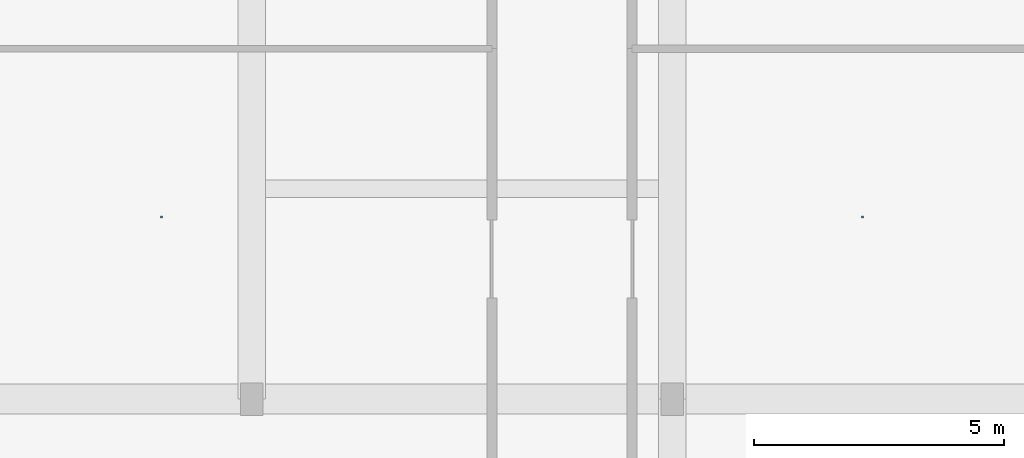
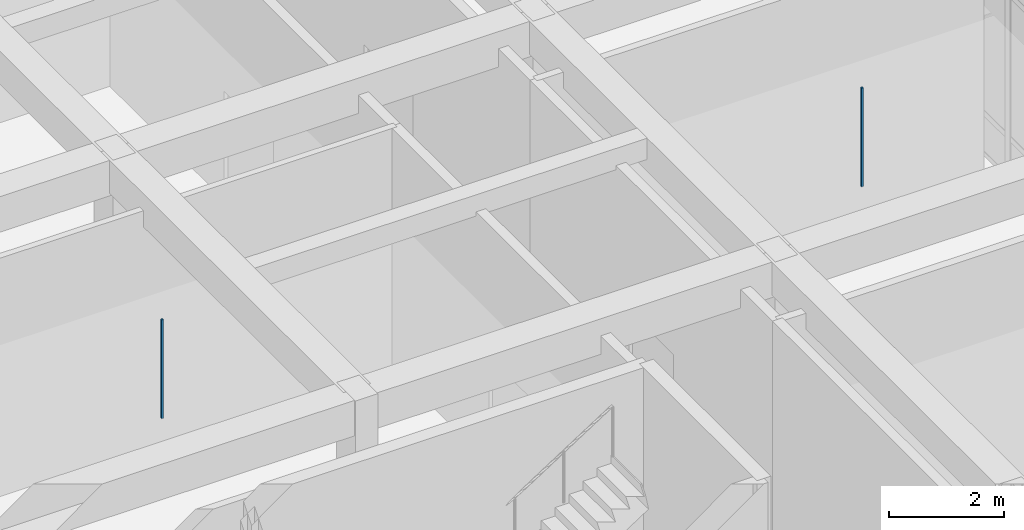
# One storey, part 94 of 167: 2 discrete accessories.
"""IFC4 building model written with IfcOpenShell, lengths in metres."""

import ifcopenshell
import ifcopenshell.guid

model = None  # the IFC model being written
_history = None  # IfcOwnerHistory: only IFC2X3 demands one
_inside = {}  # id of a spatial element -> (the spatial element, [elements in it])
_under = {}  # id of a project, library or spatial element -> (it, [spatial elements below it])
_declared = {}  # id of a project -> (the project, [libraries it declares])
_typed = {}  # id of a type object -> (the type object, [elements of that type])
_made_of = {}  # id of a material, layer set ... -> (it, [elements and type objects made of it])


def new_model(schema):
    """Start an empty IFC model of exactly this schema.

    Asked for "IFC4X3", IfcOpenShell would pick the latest addendum, in which some entities
    have other attributes; the version numbers below select the first issue.
    IFC2X3 requires an IfcOwnerHistory on every rooted entity: one is made here for all.
    """
    global model, _history
    if schema == "IFC4X3":
        model = ifcopenshell.file(schema_version=(4, 3, 0, 0))
    else:
        model = ifcopenshell.file(schema=schema)
    _inside.clear()
    _under.clear()
    _declared.clear()
    _typed.clear()
    _made_of.clear()
    _history = None
    if model.schema == "IFC2X3":
        org = make("IfcOrganization", Name="unknown")
        user = make(
            "IfcPersonAndOrganization",
            ThePerson=make("IfcPerson", FamilyName="unknown"),
            TheOrganization=org,
        )
        app = make(
            "IfcApplication",
            ApplicationDeveloper=org,
            Version="unknown",
            ApplicationFullName="unknown",
            ApplicationIdentifier="unknown",
        )
        _history = make(
            "IfcOwnerHistory",
            OwningUser=user,
            OwningApplication=app,
            ChangeAction="ADDED",
            CreationDate=0,
        )
    return model


def make(cls, **values):
    """One entity of the class cls with the attributes given. An attribute that is None is left unset."""
    return model.create_entity(
        cls, **{name: value for name, value in values.items() if value is not None}
    )


def rooted(cls, **values):
    """An entity with a GlobalId (a new one), such as an element, a storey or a relation."""
    return make(cls, GlobalId=ifcopenshell.guid.new(), OwnerHistory=_history, **values)


def si_unit(unit_type, name, prefix=None):
    """IfcSIUnit, for example si_unit("LENGTHUNIT", "METRE", prefix="MILLI")."""
    return make("IfcSIUnit", UnitType=unit_type, Prefix=prefix, Name=name)


def assignment(units):
    """IfcUnitAssignment: the units of a project."""
    return None if units is None else make("IfcUnitAssignment", Units=units)


def point(xyz):
    """IfcCartesianPoint."""
    return None if xyz is None else make("IfcCartesianPoint", Coordinates=xyz)


def direction(xyz):
    """IfcDirection."""
    return None if xyz is None else make("IfcDirection", DirectionRatios=xyz)


def frame(location, z_axis=None, x_axis=None):
    """IfcAxis2Placement3D, a coordinate frame: its origin and axes. An axis left out is left unset."""
    return make(
        "IfcAxis2Placement3D",
        Location=point(location),
        Axis=direction(z_axis),
        RefDirection=direction(x_axis),
    )


def frame_2d(location, x_axis=None):
    """IfcAxis2Placement2D, a coordinate frame in the plane: its origin and x axis."""
    return make(
        "IfcAxis2Placement2D", Location=point(location), RefDirection=direction(x_axis)
    )


def origin():
    """The frame at (0, 0, 0) with its axes left unset."""
    return frame((0.0, 0.0, 0.0))


def origin_2d():
    """The frame at (0, 0) in the plane with its x axis left unset."""
    return frame_2d((0.0, 0.0))


def place(relative_to, where):
    """IfcLocalPlacement: puts the frame where relative to a parent placement (None: the world)."""
    return make(
        "IfcLocalPlacement", PlacementRelTo=relative_to, RelativePlacement=where
    )


def context(
    kind, dimensions, precision=None, world=None, true_north=None, identifier=None
):
    """IfcGeometricRepresentationContext, for example the 3D "Model" context."""
    return make(
        "IfcGeometricRepresentationContext",
        ContextIdentifier=identifier,
        ContextType=kind,
        CoordinateSpaceDimension=dimensions,
        Precision=precision,
        WorldCoordinateSystem=world,
        TrueNorth=true_north,
    )


def subcontext(parent, identifier, kind, view, scale=None):
    """IfcGeometricRepresentationSubContext, for example "Body" below "Model"."""
    return make(
        "IfcGeometricRepresentationSubContext",
        ContextIdentifier=identifier,
        ContextType=kind,
        ParentContext=parent,
        TargetScale=scale,
        TargetView=view,
    )


def project(units=None, contexts=None):
    """IfcProject with its units and contexts."""
    return rooted(
        "IfcProject",
        Name="project",
        RepresentationContexts=contexts,
        UnitsInContext=assignment(units),
    )


def spatial(cls, under=None, at=None, **own):
    """A site, building, storey or space (cls), placed at a placement, below another one or the project."""
    s = rooted(cls, ObjectPlacement=at, **own)
    if under is not None:
        _under.setdefault(under.id(), (under, []))[1].append(s)
    return s


def profile(cls, at=None, kind="AREA", **sizes):
    """A parametric profile (cls). Its sizes go by their IFC names, for example OverallWidth=200.0."""
    return make(cls, ProfileType=kind, Position=at, **sizes)


def rectangle(**sizes):
    """IfcRectangleProfileDef."""
    return profile("IfcRectangleProfileDef", **sizes)


def extrude(swept, where, along, depth):
    """IfcExtrudedAreaSolid: the profile swept, set in the frame where, extruded along a direction by depth."""
    return make(
        "IfcExtrudedAreaSolid",
        SweptArea=swept,
        Position=where,
        ExtrudedDirection=direction(along),
        Depth=depth,
    )


def shape(context_of_items, identifier, shape_type, items):
    """IfcShapeRepresentation: the items that make up one representation, for example the "Body"."""
    return make(
        "IfcShapeRepresentation",
        ContextOfItems=context_of_items,
        RepresentationIdentifier=identifier,
        RepresentationType=shape_type,
        Items=items,
    )


def material(Name=None, Category=None):
    """IfcMaterial."""
    return make("IfcMaterial", Name=Name, Category=Category)


def made_of(thing, what):
    """Note that an element or type object is made of a material, layer set ...; save() writes the relation."""
    if what is not None:
        _made_of.setdefault(what.id(), (what, []))[1].append(thing)
    return thing


def type_object(cls, material=None, **own):
    """A type object (cls), such as IfcWallType, which elements share."""
    return made_of(rooted(cls, **own), material)


def element(
    cls,
    number,
    at=None,
    inside=None,
    cuts=None,
    type_object=None,
    material=None,
    context=None,
    identifier="Body",
    shape_type=None,
    held_by="IfcProductDefinitionShape",
    body=None,
    shapes=None,
    **own,
):
    """One element of the class cls, such as IfcWall. Its Tag is "e" and its number.

    at: its placement. inside: the storey or other place that contains it. cuts: it is an
    opening in that element (IfcRelVoidsElement). A single representation is given by context,
    identifier, shape_type and body (its items); several are given by shapes. held_by: the class
    of the entity that holds the representations. save() writes the other relations.
    """
    e = rooted(cls, Tag="e%d" % number, ObjectPlacement=at, **own)
    if body is not None:
        shapes = [shape(context, identifier, shape_type, body)]
    if shapes is not None:
        e.Representation = make(held_by, Representations=shapes)
    if inside is not None:
        _inside.setdefault(inside.id(), (inside, []))[1].append(e)
    if cuts is not None:
        rooted(
            "IfcRelVoidsElement", RelatingBuildingElement=cuts, RelatedOpeningElement=e
        )
    if type_object is not None:
        _typed.setdefault(type_object.id(), (type_object, []))[1].append(e)
    return made_of(e, material)


def aggregate(whole, parts):
    """IfcRelAggregates: a whole, such as a stair, and the parts it consists of."""
    return rooted("IfcRelAggregates", RelatingObject=whole, RelatedObjects=parts)


def save(model, path):
    """Write the relations noted so far, then the file.

    IfcRelAggregates (storeys below a building ...), IfcRelContainedInSpatialStructure (elements
    in a storey), IfcRelDefinesByType, IfcRelAssociatesMaterial and IfcRelDeclares: one each for
    every whole, place, type object, material and project.
    """
    for whole, parts in _under.values():
        aggregate(whole, parts)
    for where, things in _inside.values():
        rooted(
            "IfcRelContainedInSpatialStructure",
            RelatedElements=things,
            RelatingStructure=where,
        )
    for kind, things in _typed.values():
        rooted("IfcRelDefinesByType", RelatedObjects=things, RelatingType=kind)
    for what, things in _made_of.values():
        rooted("IfcRelAssociatesMaterial", RelatedObjects=things, RelatingMaterial=what)
    for by, libraries in _declared.values():
        rooted("IfcRelDeclares", RelatingContext=by, RelatedDefinitions=libraries)
    model.write(path)


model = new_model("IFC4")

# Units and contexts
model_context = context("Model", 3, precision=1e-05, world=origin(), true_north=direction((0.0, 1.0)))
body_context = subcontext(model_context, "Body", "Model", "MODEL_VIEW")
ifc_project = project(units=[si_unit("LENGTHUNIT", "METRE"), si_unit("AREAUNIT", "SQUARE_METRE"), si_unit("VOLUMEUNIT", "CUBIC_METRE"), si_unit("PLANEANGLEUNIT", "RADIAN"), si_unit("MASSUNIT", "GRAM", prefix="KILO")], contexts=[model_context])

# Site, building, storey
site_placement = place(None, origin())
site = spatial("IfcSite", under=ifc_project, at=site_placement, CompositionType="ELEMENT")
building_placement = place(site_placement, origin())
building = spatial("IfcBuilding", under=site, at=building_placement, Name="Varncliffe General Hospital", CompositionType="ELEMENT")
storey_placement = place(building_placement, origin())
storey = spatial("IfcBuildingStorey", under=building, at=storey_placement, Name="L00", CompositionType="ELEMENT", Elevation=0.0)

# Discrete accessories
ifc_material = material(Name="Powder-coated hospital steel guardrail and handrail", Category="steel")
discrete_accessory_type = type_object("IfcDiscreteAccessoryType", Name="Suspended Ceiling Hanger Bracket CH01", PredefinedType="BRACKET", material=ifc_material)
for number, where, z_axis, x_axis, name in (
    (1, (6.60009765625, 69.642578125, 3.18994140625), (0.0, 0.0, 1.0), (1.0, 0.0, 0.0), "L00 Suspended Ceiling Hanger 28"),
    (2, (20.60009765625, 69.642578125, 3.18994140625), (0.0, 0.0, 1.0), (1.0, 0.0, 0.0), "L00 Suspended Ceiling Hanger 33"),
):
    element("IfcDiscreteAccessory", number, at=place(storey_placement, frame(where, z_axis=z_axis, x_axis=x_axis)), inside=storey, type_object=discrete_accessory_type, Name=name, PredefinedType="BRACKET", context=body_context, shape_type="SweptSolid", body=[
        extrude(rectangle(XDim=0.0400390625, YDim=0.0400390625, at=origin_2d()), origin(), (0.0, 0.0, 1.0), 2.090087890625),
    ])

save(model, "model.ifc")
